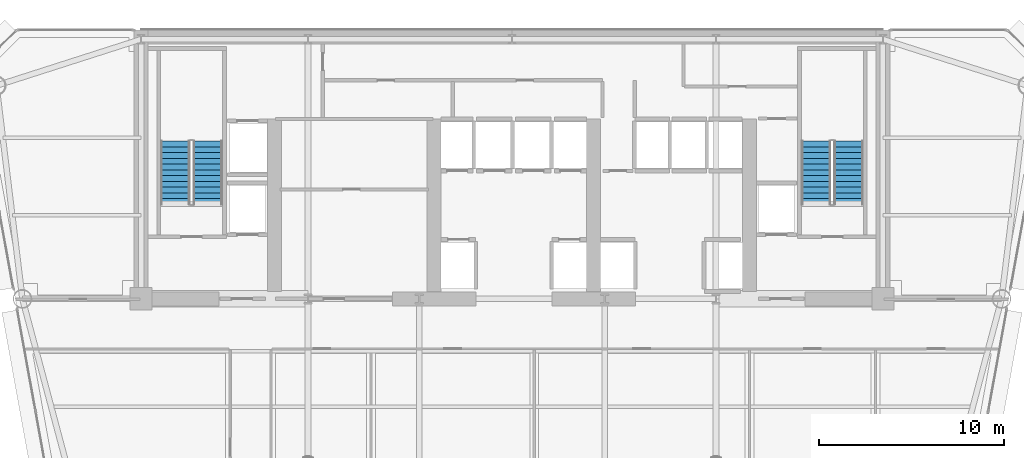
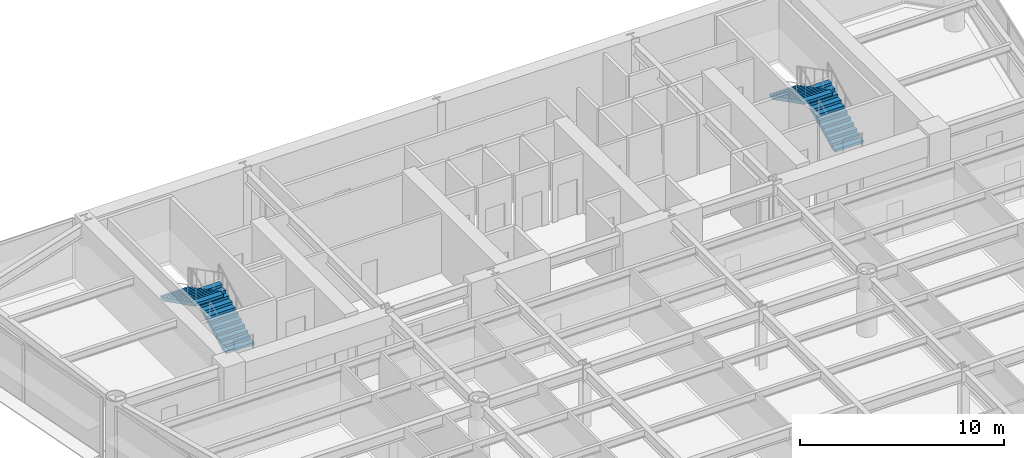
# One storey, part 10 of 14: 4 stair flights, 2 elements without a shape of their own.
"""IFC4 building model written with IfcOpenShell, lengths in metres."""

from ifc_helpers import new_model, si_unit, direction, frame, origin, place, context, subcontext, project, spatial, polyline, outline, extrude, material, type_object, element, aggregate, save


model = new_model("IFC4")

# Units and contexts
model_context = context("Model", 3, precision=1e-05, world=origin(), true_north=direction((0.0, 1.0)))
body_context = subcontext(model_context, "Body", "Model", "MODEL_VIEW")
ifc_project = project(units=[si_unit("LENGTHUNIT", "METRE"), si_unit("AREAUNIT", "SQUARE_METRE"), si_unit("VOLUMEUNIT", "CUBIC_METRE"), si_unit("PLANEANGLEUNIT", "RADIAN"), si_unit("MASSUNIT", "GRAM", prefix="KILO")], contexts=[model_context])

# Site, building, storey
site_placement = place(None, origin())
site = spatial("IfcSite", under=ifc_project, at=site_placement, CompositionType="ELEMENT")
building_placement = place(site_placement, origin())
building = spatial("IfcBuilding", under=site, at=building_placement, Name="Vaeldorn Concourse Tower", CompositionType="ELEMENT")
storey_placement = place(building_placement, frame((0.0, 0.0, 137.60009765625)))
storey = spatial("IfcBuildingStorey", under=building, at=storey_placement, Name="L35", CompositionType="ELEMENT", Elevation=137.60009765625)

# Stair, stair flights
ifc_material = material(Name="Precast concrete C40/50", Category="concrete")
stair_type = type_object("IfcStairType", Name="STR-DOG-24x158", PredefinedType="HALF_TURN_STAIR", material=ifc_material)
stair_1_placement = place(storey_placement, origin())
stair_1 = element("IfcStair", 1, at=stair_1_placement, inside=storey, type_object=stair_type, Name="L35 West Core Exit Stair ST-1", PredefinedType="HALF_TURN_STAIR")
stair_flight_type = type_object("IfcStairFlightType", Name="STF-STR-12x158", PredefinedType="STRAIGHT", material=ifc_material)
stair_flight_1_placement = place(storey_placement, frame((17.60009765625, 41.60009765625, 0.0), z_axis=(0.0, 0.0, 1.0), x_axis=(0.0, 1.0, 0.0)))
stair_flight_1 = element("IfcStairFlight", 2, at=stair_flight_1_placement, type_object=stair_flight_type, Name="ST-1 flight 1", NumberOfRisers=12, NumberOfTreads=11, PredefinedType="STRAIGHT", RiserHeight=0.158333333, TreadLength=0.31, context=body_context, shape_type="SweptSolid", body=[
    extrude(outline(polyline([(0.0, 0.0), (0.0, 0.158447265625), (0.31005859375, 0.158447265625), (0.31005859375, 0.316650390625), (0.6201171875, 0.316650390625), (0.6201171875, 0.47509765625), (0.929931640625, 0.47509765625), (0.929931640625, 0.63330078125), (1.239990234375, 0.63330078125), (1.239990234375, 0.791748046875), (1.550048828125, 0.791748046875), (1.550048828125, 0.949951171875), (1.860107421875, 0.949951171875), (1.860107421875, 1.1083984375), (2.169921875, 1.1083984375), (2.169921875, 1.2666015625), (2.47998046875, 1.2666015625), (2.47998046875, 1.425048828125), (2.7900390625, 1.425048828125), (2.7900390625, 1.583251953125), (3.10009765625, 1.583251953125), (3.10009765625, 1.74169921875), (3.409912109375, 1.74169921875), (3.409912109375, 1.89990234375), (3.409912109375, 1.5732421875), (0.32958984375, 0.0), (0.0, 0.0)])), frame((0.0, 0.800048828125, 0.0), z_axis=(0.0, -1.0, 0.0), x_axis=(1.0, 0.0, 0.0)), (0.0, 0.0, 1.0), 1.60009765625),
])
stair_flight_2_placement = place(storey_placement, frame((15.85009765625, 45.010009765625, 1.89990234375), z_axis=(0.0, 0.0, 1.0), x_axis=(0.0, -1.0, 0.0)))
stair_flight_2 = element("IfcStairFlight", 3, at=stair_flight_2_placement, type_object=stair_flight_type, Name="ST-1 flight 2", NumberOfRisers=12, NumberOfTreads=11, PredefinedType="STRAIGHT", RiserHeight=0.158333333, TreadLength=0.31, context=body_context, shape_type="SweptSolid", body=[
    extrude(outline(polyline([(0.0, 0.0), (0.0, 0.158447265625), (0.31005859375, 0.158447265625), (0.31005859375, 0.316650390625), (0.6201171875, 0.316650390625), (0.6201171875, 0.47509765625), (0.929931640625, 0.47509765625), (0.929931640625, 0.63330078125), (1.239990234375, 0.63330078125), (1.239990234375, 0.791748046875), (1.550048828125, 0.791748046875), (1.550048828125, 0.949951171875), (1.860107421875, 0.949951171875), (1.860107421875, 1.1083984375), (2.169921875, 1.1083984375), (2.169921875, 1.2666015625), (2.47998046875, 1.2666015625), (2.47998046875, 1.425048828125), (2.7900390625, 1.425048828125), (2.7900390625, 1.583251953125), (3.10009765625, 1.583251953125), (3.10009765625, 1.74169921875), (3.409912109375, 1.74169921875), (3.409912109375, 1.89990234375), (3.409912109375, 1.5732421875), (0.32958984375, 0.0), (0.0, 0.0)])), frame((0.0, 0.800048828125, 0.0), z_axis=(0.0, -1.0, 0.0), x_axis=(1.0, 0.0, 0.0)), (0.0, 0.0, 1.0), 1.60009765625),
])
aggregate(stair_1, [stair_flight_1, stair_flight_2])

stair_2_placement = place(storey_placement, origin())
stair_2 = element("IfcStair", 4, at=stair_2_placement, inside=storey, type_object=stair_type, Name="L35 East Core Exit Stair ST-2", PredefinedType="HALF_TURN_STAIR")
stair_flight_3_placement = place(storey_placement, frame((52.14990234375, 41.60009765625, 0.0), z_axis=(0.0, 0.0, 1.0), x_axis=(0.0, 1.0, 0.0)))
stair_flight_3 = element("IfcStairFlight", 5, at=stair_flight_3_placement, type_object=stair_flight_type, Name="ST-2 flight 1", NumberOfRisers=12, NumberOfTreads=11, PredefinedType="STRAIGHT", RiserHeight=0.158333333, TreadLength=0.31, context=body_context, shape_type="SweptSolid", body=[
    extrude(outline(polyline([(0.0, 0.0), (0.0, 0.158447265625), (0.31005859375, 0.158447265625), (0.31005859375, 0.316650390625), (0.6201171875, 0.316650390625), (0.6201171875, 0.47509765625), (0.929931640625, 0.47509765625), (0.929931640625, 0.63330078125), (1.239990234375, 0.63330078125), (1.239990234375, 0.791748046875), (1.550048828125, 0.791748046875), (1.550048828125, 0.949951171875), (1.860107421875, 0.949951171875), (1.860107421875, 1.1083984375), (2.169921875, 1.1083984375), (2.169921875, 1.2666015625), (2.47998046875, 1.2666015625), (2.47998046875, 1.425048828125), (2.7900390625, 1.425048828125), (2.7900390625, 1.583251953125), (3.10009765625, 1.583251953125), (3.10009765625, 1.74169921875), (3.409912109375, 1.74169921875), (3.409912109375, 1.89990234375), (3.409912109375, 1.5732421875), (0.32958984375, 0.0), (0.0, 0.0)])), frame((0.0, 0.800048828125, 0.0), z_axis=(0.0, -1.0, 0.0), x_axis=(1.0, 0.0, 0.0)), (0.0, 0.0, 1.0), 1.60009765625),
])
stair_flight_4_placement = place(storey_placement, frame((50.39990234375, 45.010009765625, 1.89990234375), z_axis=(0.0, 0.0, 1.0), x_axis=(0.0, -1.0, 0.0)))
stair_flight_4 = element("IfcStairFlight", 6, at=stair_flight_4_placement, type_object=stair_flight_type, Name="ST-2 flight 2", NumberOfRisers=12, NumberOfTreads=11, PredefinedType="STRAIGHT", RiserHeight=0.158333333, TreadLength=0.31, context=body_context, shape_type="SweptSolid", body=[
    extrude(outline(polyline([(0.0, 0.0), (0.0, 0.158447265625), (0.31005859375, 0.158447265625), (0.31005859375, 0.316650390625), (0.6201171875, 0.316650390625), (0.6201171875, 0.47509765625), (0.929931640625, 0.47509765625), (0.929931640625, 0.63330078125), (1.239990234375, 0.63330078125), (1.239990234375, 0.791748046875), (1.550048828125, 0.791748046875), (1.550048828125, 0.949951171875), (1.860107421875, 0.949951171875), (1.860107421875, 1.1083984375), (2.169921875, 1.1083984375), (2.169921875, 1.2666015625), (2.47998046875, 1.2666015625), (2.47998046875, 1.425048828125), (2.7900390625, 1.425048828125), (2.7900390625, 1.583251953125), (3.10009765625, 1.583251953125), (3.10009765625, 1.74169921875), (3.409912109375, 1.74169921875), (3.409912109375, 1.89990234375), (3.409912109375, 1.5732421875), (0.32958984375, 0.0), (0.0, 0.0)])), frame((0.0, 0.800048828125, 0.0), z_axis=(0.0, -1.0, 0.0), x_axis=(1.0, 0.0, 0.0)), (0.0, 0.0, 1.0), 1.60009765625),
])
aggregate(stair_2, [stair_flight_3, stair_flight_4])

save(model, "model.ifc")
